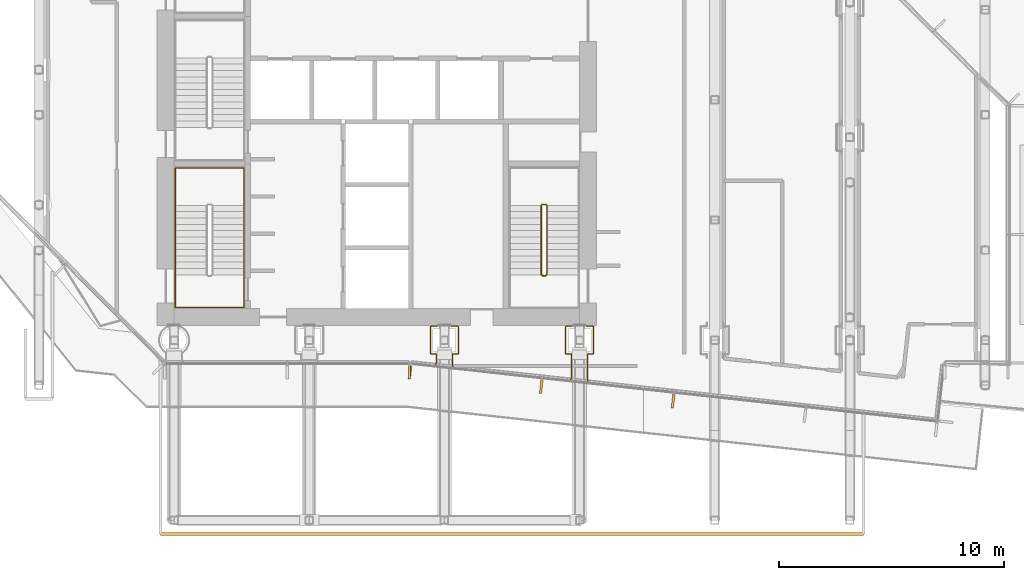
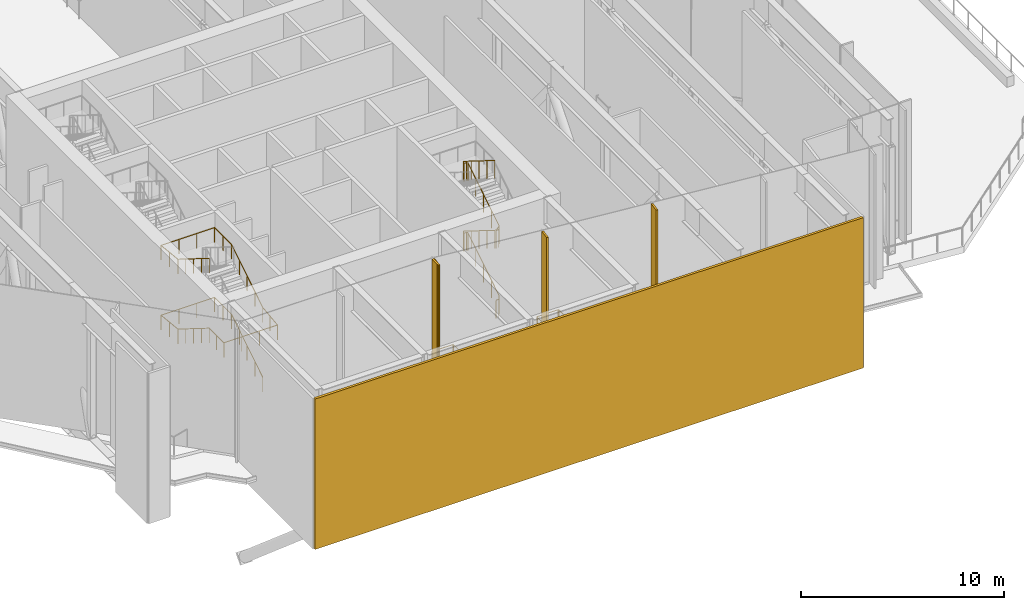
# One storey, part 18 of 24: 5 coverings, 4 railings.
"""IFC4 building model written with IfcOpenShell, lengths in metres."""

import ifcopenshell
import ifcopenshell.guid

model = None  # the IFC model being written
_history = None  # IfcOwnerHistory: only IFC2X3 demands one
_inside = {}  # id of a spatial element -> (the spatial element, [elements in it])
_under = {}  # id of a project, library or spatial element -> (it, [spatial elements below it])
_declared = {}  # id of a project -> (the project, [libraries it declares])
_typed = {}  # id of a type object -> (the type object, [elements of that type])
_made_of = {}  # id of a material, layer set ... -> (it, [elements and type objects made of it])


def new_model(schema):
    """Start an empty IFC model of exactly this schema.

    Asked for "IFC4X3", IfcOpenShell would pick the latest addendum, in which some entities
    have other attributes; the version numbers below select the first issue.
    IFC2X3 requires an IfcOwnerHistory on every rooted entity: one is made here for all.
    """
    global model, _history
    if schema == "IFC4X3":
        model = ifcopenshell.file(schema_version=(4, 3, 0, 0))
    else:
        model = ifcopenshell.file(schema=schema)
    _inside.clear()
    _under.clear()
    _declared.clear()
    _typed.clear()
    _made_of.clear()
    _history = None
    if model.schema == "IFC2X3":
        org = make("IfcOrganization", Name="unknown")
        user = make(
            "IfcPersonAndOrganization",
            ThePerson=make("IfcPerson", FamilyName="unknown"),
            TheOrganization=org,
        )
        app = make(
            "IfcApplication",
            ApplicationDeveloper=org,
            Version="unknown",
            ApplicationFullName="unknown",
            ApplicationIdentifier="unknown",
        )
        _history = make(
            "IfcOwnerHistory",
            OwningUser=user,
            OwningApplication=app,
            ChangeAction="ADDED",
            CreationDate=0,
        )
    return model


def make(cls, **values):
    """One entity of the class cls with the attributes given. An attribute that is None is left unset."""
    return model.create_entity(
        cls, **{name: value for name, value in values.items() if value is not None}
    )


def rooted(cls, **values):
    """An entity with a GlobalId (a new one), such as an element, a storey or a relation."""
    return make(cls, GlobalId=ifcopenshell.guid.new(), OwnerHistory=_history, **values)


def si_unit(unit_type, name, prefix=None):
    """IfcSIUnit, for example si_unit("LENGTHUNIT", "METRE", prefix="MILLI")."""
    return make("IfcSIUnit", UnitType=unit_type, Prefix=prefix, Name=name)


def assignment(units):
    """IfcUnitAssignment: the units of a project."""
    return None if units is None else make("IfcUnitAssignment", Units=units)


def point(xyz):
    """IfcCartesianPoint."""
    return None if xyz is None else make("IfcCartesianPoint", Coordinates=xyz)


def direction(xyz):
    """IfcDirection."""
    return None if xyz is None else make("IfcDirection", DirectionRatios=xyz)


def frame(location, z_axis=None, x_axis=None):
    """IfcAxis2Placement3D, a coordinate frame: its origin and axes. An axis left out is left unset."""
    return make(
        "IfcAxis2Placement3D",
        Location=point(location),
        Axis=direction(z_axis),
        RefDirection=direction(x_axis),
    )


def frame_2d(location, x_axis=None):
    """IfcAxis2Placement2D, a coordinate frame in the plane: its origin and x axis."""
    return make(
        "IfcAxis2Placement2D", Location=point(location), RefDirection=direction(x_axis)
    )


def origin():
    """The frame at (0, 0, 0) with its axes left unset."""
    return frame((0.0, 0.0, 0.0))


def origin_2d():
    """The frame at (0, 0) in the plane with its x axis left unset."""
    return frame_2d((0.0, 0.0))


def place(relative_to, where):
    """IfcLocalPlacement: puts the frame where relative to a parent placement (None: the world)."""
    return make(
        "IfcLocalPlacement", PlacementRelTo=relative_to, RelativePlacement=where
    )


def context(
    kind, dimensions, precision=None, world=None, true_north=None, identifier=None
):
    """IfcGeometricRepresentationContext, for example the 3D "Model" context."""
    return make(
        "IfcGeometricRepresentationContext",
        ContextIdentifier=identifier,
        ContextType=kind,
        CoordinateSpaceDimension=dimensions,
        Precision=precision,
        WorldCoordinateSystem=world,
        TrueNorth=true_north,
    )


def subcontext(parent, identifier, kind, view, scale=None):
    """IfcGeometricRepresentationSubContext, for example "Body" below "Model"."""
    return make(
        "IfcGeometricRepresentationSubContext",
        ContextIdentifier=identifier,
        ContextType=kind,
        ParentContext=parent,
        TargetScale=scale,
        TargetView=view,
    )


def project(units=None, contexts=None):
    """IfcProject with its units and contexts."""
    return rooted(
        "IfcProject",
        Name="project",
        RepresentationContexts=contexts,
        UnitsInContext=assignment(units),
    )


def spatial(cls, under=None, at=None, **own):
    """A site, building, storey or space (cls), placed at a placement, below another one or the project."""
    s = rooted(cls, ObjectPlacement=at, **own)
    if under is not None:
        _under.setdefault(under.id(), (under, []))[1].append(s)
    return s


def polyline(points):
    """IfcPolyline through the points."""
    return make("IfcPolyline", Points=[point(p) for p in points])


def profile(cls, at=None, kind="AREA", **sizes):
    """A parametric profile (cls). Its sizes go by their IFC names, for example OverallWidth=200.0."""
    return make(cls, ProfileType=kind, Position=at, **sizes)


def rectangle(**sizes):
    """IfcRectangleProfileDef."""
    return profile("IfcRectangleProfileDef", **sizes)


def circle(**sizes):
    """IfcCircleProfileDef."""
    return profile("IfcCircleProfileDef", **sizes)


def outline(outer, holes=None, kind="AREA"):
    """IfcArbitraryClosedProfileDef: a profile drawn as a closed curve; with holes, ...WithVoids."""
    if holes is None:
        return make("IfcArbitraryClosedProfileDef", ProfileType=kind, OuterCurve=outer)
    return make(
        "IfcArbitraryProfileDefWithVoids",
        ProfileType=kind,
        OuterCurve=outer,
        InnerCurves=holes,
    )


def extrude(swept, where, along, depth):
    """IfcExtrudedAreaSolid: the profile swept, set in the frame where, extruded along a direction by depth."""
    return make(
        "IfcExtrudedAreaSolid",
        SweptArea=swept,
        Position=where,
        ExtrudedDirection=direction(along),
        Depth=depth,
    )


def shape(context_of_items, identifier, shape_type, items):
    """IfcShapeRepresentation: the items that make up one representation, for example the "Body"."""
    return make(
        "IfcShapeRepresentation",
        ContextOfItems=context_of_items,
        RepresentationIdentifier=identifier,
        RepresentationType=shape_type,
        Items=items,
    )


def material(Name=None, Category=None):
    """IfcMaterial."""
    return make("IfcMaterial", Name=Name, Category=Category)


def layer(
    of_material, thickness, ventilated=None, Name=None, Category=None, Priority=None
):
    """IfcMaterialLayer: one layer of a wall or slab, of a material (None: an air gap)."""
    return make(
        "IfcMaterialLayer",
        Material=of_material,
        LayerThickness=thickness,
        IsVentilated=ventilated,
        Name=Name,
        Category=Category,
        Priority=Priority,
    )


def layer_set(layers, Name=None):
    """IfcMaterialLayerSet."""
    return make("IfcMaterialLayerSet", MaterialLayers=layers, LayerSetName=Name)


def made_of(thing, what):
    """Note that an element or type object is made of a material, layer set ...; save() writes the relation."""
    if what is not None:
        _made_of.setdefault(what.id(), (what, []))[1].append(thing)
    return thing


def type_object(cls, material=None, **own):
    """A type object (cls), such as IfcWallType, which elements share."""
    return made_of(rooted(cls, **own), material)


def element(
    cls,
    number,
    at=None,
    inside=None,
    cuts=None,
    type_object=None,
    material=None,
    context=None,
    identifier="Body",
    shape_type=None,
    held_by="IfcProductDefinitionShape",
    body=None,
    shapes=None,
    **own,
):
    """One element of the class cls, such as IfcWall. Its Tag is "e" and its number.

    at: its placement. inside: the storey or other place that contains it. cuts: it is an
    opening in that element (IfcRelVoidsElement). A single representation is given by context,
    identifier, shape_type and body (its items); several are given by shapes. held_by: the class
    of the entity that holds the representations. save() writes the other relations.
    """
    e = rooted(cls, Tag="e%d" % number, ObjectPlacement=at, **own)
    if body is not None:
        shapes = [shape(context, identifier, shape_type, body)]
    if shapes is not None:
        e.Representation = make(held_by, Representations=shapes)
    if inside is not None:
        _inside.setdefault(inside.id(), (inside, []))[1].append(e)
    if cuts is not None:
        rooted(
            "IfcRelVoidsElement", RelatingBuildingElement=cuts, RelatedOpeningElement=e
        )
    if type_object is not None:
        _typed.setdefault(type_object.id(), (type_object, []))[1].append(e)
    return made_of(e, material)


def aggregate(whole, parts):
    """IfcRelAggregates: a whole, such as a stair, and the parts it consists of."""
    return rooted("IfcRelAggregates", RelatingObject=whole, RelatedObjects=parts)


def save(model, path):
    """Write the relations noted so far, then the file.

    IfcRelAggregates (storeys below a building ...), IfcRelContainedInSpatialStructure (elements
    in a storey), IfcRelDefinesByType, IfcRelAssociatesMaterial and IfcRelDeclares: one each for
    every whole, place, type object, material and project.
    """
    for whole, parts in _under.values():
        aggregate(whole, parts)
    for where, things in _inside.values():
        rooted(
            "IfcRelContainedInSpatialStructure",
            RelatedElements=things,
            RelatingStructure=where,
        )
    for kind, things in _typed.values():
        rooted("IfcRelDefinesByType", RelatedObjects=things, RelatingType=kind)
    for what, things in _made_of.values():
        rooted("IfcRelAssociatesMaterial", RelatedObjects=things, RelatingMaterial=what)
    for by, libraries in _declared.values():
        rooted("IfcRelDeclares", RelatingContext=by, RelatedDefinitions=libraries)
    model.write(path)


model = new_model("IFC4")

# Units and contexts
model_context = context("Model", 3, precision=1e-05, world=origin(), true_north=direction((0.0, 1.0)))
body_context = subcontext(model_context, "Body", "Model", "MODEL_VIEW")
ifc_project = project(units=[si_unit("LENGTHUNIT", "METRE"), si_unit("AREAUNIT", "SQUARE_METRE"), si_unit("VOLUMEUNIT", "CUBIC_METRE"), si_unit("PLANEANGLEUNIT", "RADIAN"), si_unit("MASSUNIT", "GRAM", prefix="KILO")], contexts=[model_context])

# Site, building, storey
site_placement = place(None, origin())
site = spatial("IfcSite", under=ifc_project, at=site_placement, CompositionType="ELEMENT")
building_placement = place(site_placement, origin())
building = spatial("IfcBuilding", under=site, at=building_placement, Name="Welwitschia Terrace Campus", CompositionType="ELEMENT")
storey_placement = place(building_placement, frame((0.0, 0.0, 138.199951171875)))
storey = spatial("IfcBuildingStorey", under=building, at=storey_placement, Name="L31", CompositionType="ELEMENT", Elevation=138.199951171875)

# Coverings
ifc_material_1 = material(Name="Bronze anodised aluminium", Category="aluminium")
ifc_layer_1 = layer(ifc_material_1, 0.10009765625)
ifc_layer_set_1 = layer_set([ifc_layer_1], Name="Bronze anodised aluminium")
covering_type_1 = type_object("IfcCoveringType", Name="Bronze fin 100x600", PredefinedType="USERDEFINED", material=ifc_layer_set_1)
for number, where, z_axis, x_axis, name in (
    (1, (16.45458984375, 2.570068359375, 0.0), (0.0, 0.0, 1.0), (1.0, 0.0, 0.0), "Fin L31.1.2"),
    (2, (16.472900390625, 2.569091796875, 0.0), (0.0, 0.0, 1.0), (0.994056338222, -0.108866874852, 0.0), "Fin L31.2.0"),
    (3, (22.297119140625, 1.93115234375, 0.0), (0.0, 0.0, 1.0), (0.994056338222, -0.108866874852, 0.0), "Fin L31.2.1"),
    (4, (28.1513671875, 1.2900390625, 0.0), (0.0, 0.0, 1.0), (0.994056338222, -0.108866874852, 0.0), "Fin L31.2.2"),
):
    element("IfcCovering", number, at=place(storey_placement, frame(where, z_axis=z_axis, x_axis=x_axis)), inside=storey, type_object=covering_type_1, Name=name, ObjectType="FIN", PredefinedType="USERDEFINED", context=body_context, shape_type="SweptSolid", body=[
        extrude(rectangle(XDim=0.10009765625, YDim=0.60009765625, at=origin_2d()), origin(), (0.0, 0.0, 1.0), 8.050048828125),
    ])

# Railings
ifc_material_2 = material(Name="Stainless steel grade 316", Category="steel")
railing_type_1 = type_object("IfcRailingType", Name="Guard 1100", PredefinedType="GUARDRAIL", material=ifc_material_2)
railing_1_placement = place(storey_placement, frame((24.396484375, 2.08349609375, 0.0)))
element("IfcRailing", 5, at=railing_1_placement, inside=storey, type_object=railing_type_1, Name="Guard floor edge L31.20", PredefinedType="GUARDRAIL", context=body_context, shape_type="SweptSolid", body=[
    extrude(circle(Radius=0.02392578125, at=origin_2d()), frame((0.0, 0.0, 1.076171875), z_axis=(-0.230095374395, 0.973168083469, 0.0), x_axis=(-0.973168083469, -0.230095374395, 0.0)), (0.0, 0.0, 1.0), 0.180419921875),
    extrude(circle(Radius=0.02392578125, at=origin_2d()), frame((-0.04150390625, 0.175537109375, 1.076171875), z_axis=(0.0, 1.0, 0.0), x_axis=(-1.0, 0.0, 0.0)), (0.0, 0.0, 1.0), 1.120849609375),
    extrude(circle(Radius=0.02392578125, at=origin_2d()), frame((-0.04150390625, 1.29638671875, 1.076171875), z_axis=(1.0, 0.0, 0.0), x_axis=(0.0, 1.0, 0.0)), (0.0, 0.0, 1.0), 0.2373046875),
    extrude(circle(Radius=0.02392578125, at=origin_2d()), frame((0.19580078125, 1.29638671875, 1.076171875), z_axis=(0.707106781187, 0.707106781187, 0.0), x_axis=(-0.707106781187, 0.707106781187, 0.0)), (0.0, 0.0, 1.0), 0.039306640625),
    extrude(circle(Radius=0.02392578125, at=origin_2d()), frame((0.2236328125, 1.32421875, 1.076171875), z_axis=(0.0, 1.0, 0.0), x_axis=(-1.0, 0.0, 0.0)), (0.0, 0.0, 1.0), 1.1845703125),
    extrude(circle(Radius=0.02392578125, at=origin_2d()), frame((0.2236328125, 2.5087890625, 1.076171875), z_axis=(-0.707106781187, 0.707106781187, 0.0), x_axis=(-0.707106781187, -0.707106781187, 0.0)), (0.0, 0.0, 1.0), 0.039306640625),
    extrude(circle(Radius=0.02392578125, at=origin_2d()), frame((0.19580078125, 2.53662109375, 1.076171875), z_axis=(-1.0, 0.0, 0.0), x_axis=(0.0, -1.0, 0.0)), (0.0, 0.0, 1.0), 1.1845703125),
    extrude(circle(Radius=0.02392578125, at=origin_2d()), frame((-0.98876953125, 2.53662109375, 1.076171875), z_axis=(-0.707106781187, -0.707106781187, 0.0), x_axis=(0.707106781187, -0.707106781187, 0.0)), (0.0, 0.0, 1.0), 0.039306640625),
    extrude(circle(Radius=0.02392578125, at=origin_2d()), frame((-1.0166015625, 2.5087890625, 1.076171875), z_axis=(0.0, -1.0, 0.0), x_axis=(1.0, 0.0, 0.0)), (0.0, 0.0, 1.0), 1.1845703125),
    extrude(circle(Radius=0.02392578125, at=origin_2d()), frame((-1.0166015625, 1.32421875, 1.076171875), z_axis=(0.707106781187, -0.707106781187, 0.0), x_axis=(0.707106781187, 0.707106781187, 0.0)), (0.0, 0.0, 1.0), 0.039306640625),
    extrude(circle(Radius=0.02392578125, at=origin_2d()), frame((-0.98876953125, 1.29638671875, 1.076171875), z_axis=(1.0, 0.0, 0.0), x_axis=(0.0, 1.0, 0.0)), (0.0, 0.0, 1.0), 0.2373046875),
    extrude(circle(Radius=0.02392578125, at=origin_2d()), frame((-0.75146484375, 1.29638671875, 1.076171875), z_axis=(0.0, -1.0, 0.0), x_axis=(1.0, 0.0, 0.0)), (0.0, 0.0, 1.0), 1.04296875),
    extrude(circle(Radius=0.02392578125, at=origin_2d()), frame((-0.75146484375, 0.25341796875, 1.076171875), z_axis=(-0.435278237699, -0.900295982322, 0.0), x_axis=(0.900295982322, -0.435278237699, 0.0)), (0.0, 0.0, 1.0), 0.1806640625),
    extrude(circle(Radius=0.02099609375, at=origin_2d()), origin(), (0.0, 0.0, 1.0), 1.052001953125),
    extrude(circle(Radius=0.02099609375, at=origin_2d()), frame((-0.04150390625, 0.175537109375, 0.0)), (0.0, 0.0, 1.0), 1.052001953125),
    extrude(circle(Radius=0.02099609375, at=origin_2d()), frame((-0.04150390625, 1.29638671875, 0.0)), (0.0, 0.0, 1.0), 1.052001953125),
    extrude(circle(Radius=0.02099609375, at=origin_2d()), frame((0.19580078125, 1.29638671875, 0.0)), (0.0, 0.0, 1.0), 1.052001953125),
    extrude(circle(Radius=0.02099609375, at=origin_2d()), frame((0.2236328125, 1.32421875, 0.0)), (0.0, 0.0, 1.0), 1.052001953125),
    extrude(circle(Radius=0.02099609375, at=origin_2d()), frame((0.2236328125, 2.5087890625, 0.0)), (0.0, 0.0, 1.0), 1.052001953125),
    extrude(circle(Radius=0.02099609375, at=origin_2d()), frame((0.19580078125, 2.53662109375, 0.0)), (0.0, 0.0, 1.0), 1.052001953125),
    extrude(circle(Radius=0.02099609375, at=origin_2d()), frame((-0.98876953125, 2.53662109375, 0.0)), (0.0, 0.0, 1.0), 1.052001953125),
    extrude(circle(Radius=0.02099609375, at=origin_2d()), frame((-1.0166015625, 2.5087890625, 0.0)), (0.0, 0.0, 1.0), 1.052001953125),
    extrude(circle(Radius=0.02099609375, at=origin_2d()), frame((-1.0166015625, 1.32421875, 0.0)), (0.0, 0.0, 1.0), 1.052001953125),
    extrude(circle(Radius=0.02099609375, at=origin_2d()), frame((-0.98876953125, 1.29638671875, 0.0)), (0.0, 0.0, 1.0), 1.052001953125),
    extrude(circle(Radius=0.02099609375, at=origin_2d()), frame((-0.75146484375, 1.29638671875, 0.0)), (0.0, 0.0, 1.0), 1.052001953125),
    extrude(circle(Radius=0.02099609375, at=origin_2d()), frame((-0.75146484375, 0.25341796875, 0.0)), (0.0, 0.0, 1.0), 1.052001953125),
    extrude(circle(Radius=0.02099609375, at=origin_2d()), frame((-0.830078125, 0.0908203125, 0.0)), (0.0, 0.0, 1.0), 1.052001953125),
])
railing_2_placement = place(storey_placement, frame((18.396484375, 2.740478515625, 0.0)))
element("IfcRailing", 6, at=railing_2_placement, inside=storey, type_object=railing_type_1, Name="Guard floor edge L31.21", PredefinedType="GUARDRAIL", context=body_context, shape_type="SweptSolid", body=[
    extrude(circle(Radius=0.02392578125, at=origin_2d()), frame((0.0, 0.0, 1.076171875), z_axis=(-0.229792683756, 0.97323960179, 0.0), x_axis=(-0.97323960179, -0.229792683756, 0.0)), (0.0, 0.0, 1.0), 0.1806640625),
    extrude(circle(Radius=0.02392578125, at=origin_2d()), frame((-0.04150390625, 0.17578125, 1.076171875), z_axis=(0.0, 1.0, 0.0), x_axis=(-1.0, 0.0, 0.0)), (0.0, 0.0, 1.0), 0.463623046875),
    extrude(circle(Radius=0.02392578125, at=origin_2d()), frame((-0.04150390625, 0.639404296875, 1.076171875), z_axis=(1.0, 0.0, 0.0), x_axis=(0.0, 1.0, 0.0)), (0.0, 0.0, 1.0), 0.2373046875),
    extrude(circle(Radius=0.02392578125, at=origin_2d()), frame((0.19580078125, 0.639404296875, 1.076171875), z_axis=(0.707106781187, 0.707106781187, 0.0), x_axis=(-0.707106781187, 0.707106781187, 0.0)), (0.0, 0.0, 1.0), 0.039306640625),
    extrude(circle(Radius=0.02392578125, at=origin_2d()), frame((0.2236328125, 0.667236328125, 1.076171875), z_axis=(0.0, 1.0, 0.0), x_axis=(-1.0, 0.0, 0.0)), (0.0, 0.0, 1.0), 1.1845703125),
    extrude(circle(Radius=0.02392578125, at=origin_2d()), frame((0.2236328125, 1.851806640625, 1.076171875), z_axis=(-0.707106781187, 0.707106781187, 0.0), x_axis=(-0.707106781187, -0.707106781187, 0.0)), (0.0, 0.0, 1.0), 0.039306640625),
    extrude(circle(Radius=0.02392578125, at=origin_2d()), frame((0.19580078125, 1.879638671875, 1.076171875), z_axis=(-1.0, 0.0, 0.0), x_axis=(0.0, -1.0, 0.0)), (0.0, 0.0, 1.0), 1.1845703125),
    extrude(circle(Radius=0.02392578125, at=origin_2d()), frame((-0.98876953125, 1.879638671875, 1.076171875), z_axis=(-0.707106781187, -0.707106781187, 0.0), x_axis=(0.707106781187, -0.707106781187, 0.0)), (0.0, 0.0, 1.0), 0.039306640625),
    extrude(circle(Radius=0.02392578125, at=origin_2d()), frame((-1.0166015625, 1.851806640625, 1.076171875), z_axis=(0.0, -1.0, 0.0), x_axis=(1.0, 0.0, 0.0)), (0.0, 0.0, 1.0), 1.1845703125),
    extrude(circle(Radius=0.02392578125, at=origin_2d()), frame((-1.0166015625, 0.667236328125, 1.076171875), z_axis=(0.707106781187, -0.707106781187, 0.0), x_axis=(0.707106781187, 0.707106781187, 0.0)), (0.0, 0.0, 1.0), 0.039306640625),
    extrude(circle(Radius=0.02392578125, at=origin_2d()), frame((-0.98876953125, 0.639404296875, 1.076171875), z_axis=(1.0, 0.0, 0.0), x_axis=(0.0, 1.0, 0.0)), (0.0, 0.0, 1.0), 0.2373046875),
    extrude(circle(Radius=0.02392578125, at=origin_2d()), frame((-0.75146484375, 0.639404296875, 1.076171875), z_axis=(0.0, -1.0, 0.0), x_axis=(1.0, 0.0, 0.0)), (0.0, 0.0, 1.0), 0.385986328125),
    extrude(circle(Radius=0.02392578125, at=origin_2d()), frame((-0.75146484375, 0.25341796875, 1.076171875), z_axis=(-0.435808548271, -0.900039393168, 0.0), x_axis=(0.900039393168, -0.435808548271, 0.0)), (0.0, 0.0, 1.0), 0.180419921875),
    extrude(circle(Radius=0.02099609375, at=origin_2d()), origin(), (0.0, 0.0, 1.0), 1.052001953125),
    extrude(circle(Radius=0.02099609375, at=origin_2d()), frame((-0.04150390625, 0.17578125, 0.0)), (0.0, 0.0, 1.0), 1.052001953125),
    extrude(circle(Radius=0.02099609375, at=origin_2d()), frame((-0.04150390625, 0.639404296875, 0.0)), (0.0, 0.0, 1.0), 1.052001953125),
    extrude(circle(Radius=0.02099609375, at=origin_2d()), frame((0.19580078125, 0.639404296875, 0.0)), (0.0, 0.0, 1.0), 1.052001953125),
    extrude(circle(Radius=0.02099609375, at=origin_2d()), frame((0.2236328125, 0.667236328125, 0.0)), (0.0, 0.0, 1.0), 1.052001953125),
    extrude(circle(Radius=0.02099609375, at=origin_2d()), frame((0.2236328125, 1.851806640625, 0.0)), (0.0, 0.0, 1.0), 1.052001953125),
    extrude(circle(Radius=0.02099609375, at=origin_2d()), frame((0.19580078125, 1.879638671875, 0.0)), (0.0, 0.0, 1.0), 1.052001953125),
    extrude(circle(Radius=0.02099609375, at=origin_2d()), frame((-0.98876953125, 1.879638671875, 0.0)), (0.0, 0.0, 1.0), 1.052001953125),
    extrude(circle(Radius=0.02099609375, at=origin_2d()), frame((-1.0166015625, 1.851806640625, 0.0)), (0.0, 0.0, 1.0), 1.052001953125),
    extrude(circle(Radius=0.02099609375, at=origin_2d()), frame((-1.0166015625, 0.667236328125, 0.0)), (0.0, 0.0, 1.0), 1.052001953125),
    extrude(circle(Radius=0.02099609375, at=origin_2d()), frame((-0.98876953125, 0.639404296875, 0.0)), (0.0, 0.0, 1.0), 1.052001953125),
    extrude(circle(Radius=0.02099609375, at=origin_2d()), frame((-0.75146484375, 0.639404296875, 0.0)), (0.0, 0.0, 1.0), 1.052001953125),
    extrude(circle(Radius=0.02099609375, at=origin_2d()), frame((-0.75146484375, 0.25341796875, 0.0)), (0.0, 0.0, 1.0), 1.052001953125),
    extrude(circle(Radius=0.02099609375, at=origin_2d()), frame((-0.830078125, 0.091064453125, 0.0)), (0.0, 0.0, 1.0), 1.052001953125),
])

# Covering
ifc_material_3 = material(Name="Bronze anodised aluminium", Category="aluminium")
ifc_layer_2 = layer(ifc_material_3, 0.139892578125)
ifc_layer_set_2 = layer_set([ifc_layer_2], Name="Bronze anodised aluminium")
covering_type_2 = type_object("IfcCoveringType", Name="Soffit fascia cladding 140", PredefinedType="CLADDING", material=ifc_layer_set_2)
covering_placement = place(storey_placement, frame((0.0, 0.0, -1.0)))
element("IfcCovering", 7, at=covering_placement, inside=storey, type_object=covering_type_2, Name="Clad fascia L31.tip fascia St1 end", PredefinedType="CLADDING", context=body_context, shape_type="SweptSolid", body=[
    extrude(outline(polyline([(36.60009765625, -4.530029296875), (5.39990234375, -4.530029296875), (5.39990234375, -4.669921875), (36.60009765625, -4.669921875), (36.60009765625, -4.530029296875)])), origin(), (0.0, 0.0, 1.0), 9.050048828125),
])

# Railings
ifc_material_4 = material(Name="Steel S355", Category="steel")
railing_type_2 = type_object("IfcRailingType", Name="Stair guard 1100", PredefinedType="GUARDRAIL", material=ifc_material_4)
railing_3_placement = place(storey_placement, frame((22.35009765625, 6.85009765625, 0.0)))
element("IfcRailing", 8, at=railing_3_placement, inside=storey, type_object=railing_type_2, Name="L31 S2 stair guard", PredefinedType="GUARDRAIL", context=body_context, shape_type="SweptSolid", body=[
    extrude(circle(Radius=0.02392578125, at=origin_2d()), frame((0.0, 0.0, 1.076171875), z_axis=(1.0, 0.0, 0.0), x_axis=(0.0, 1.0, 0.0)), (0.0, 0.0, 1.0), 0.14990234375),
    extrude(circle(Radius=0.02392578125, at=origin_2d()), frame((0.14990234375, 0.0, 1.076171875), z_axis=(0.265155923931, 0.263862480399, 0.927399011991), x_axis=(-0.705375805398, 0.708833529934, 0.0)), (0.0, 0.0, 1.0), 0.188720703125),
    extrude(circle(Radius=0.02392578125, at=origin_2d()), frame((0.199951171875, 0.0498046875, 1.2509765625), z_axis=(0.0, 0.847998304005, 0.529998940003), x_axis=(-1.0, 0.0, 0.0)), (0.0, 0.0, 1.0), 3.632080078125),
    extrude(circle(Radius=0.02392578125, at=origin_2d()), frame((0.199951171875, 3.1298828125, 3.17626953125), z_axis=(-0.707106781187, 0.707106781187, 0.0), x_axis=(-0.707106781187, -0.707106781187, 0.0)), (0.0, 0.0, 1.0), 0.07080078125),
    extrude(circle(Radius=0.02392578125, at=origin_2d()), frame((0.14990234375, 3.179931640625, 3.17626953125), z_axis=(-1.0, 0.0, 0.0), x_axis=(0.0, -1.0, 0.0)), (0.0, 0.0, 1.0), 0.14990234375),
    extrude(circle(Radius=0.02392578125, at=origin_2d()), frame((0.0, 3.179931640625, 3.17626953125), z_axis=(-0.265065253269, -0.265065253269, 0.927081885822), x_axis=(0.707106781187, -0.707106781187, 0.0)), (0.0, 0.0, 1.0), 0.188720703125),
    extrude(circle(Radius=0.02392578125, at=origin_2d()), frame((-0.050048828125, 3.1298828125, 3.35107421875), z_axis=(0.0, -0.848028513186, 0.529950602248), x_axis=(1.0, 0.0, 0.0)), (0.0, 0.0, 1.0), 3.632080078125),
    extrude(circle(Radius=0.02392578125, at=origin_2d()), frame((-0.050048828125, 0.0498046875, 5.27587890625), z_axis=(0.970351222016, -0.241699205484, 0.0), x_axis=(0.241699205484, 0.970351222016, 0.0)), (0.0, 0.0, 1.0), 0.2060546875),
    extrude(circle(Radius=0.02392578125, at=origin_2d()), frame((0.14990234375, 0.0, 5.27587890625), z_axis=(-1.0, 0.0, 0.0), x_axis=(0.0, -1.0, 0.0)), (0.0, 0.0, 1.0), 0.14990234375),
    extrude(circle(Radius=0.02392578125, at=origin_2d()), frame((0.0, 0.0, 5.27587890625), z_axis=(0.739530593833, 0.18420542264, 0.647427882513), x_axis=(-0.241699205484, 0.970351222016, 0.0)), (0.0, 0.0, 1.0), 0.270263671875),
    extrude(circle(Radius=0.02392578125, at=origin_2d()), frame((0.199951171875, 0.0498046875, 5.451171875), z_axis=(0.0, 0.847998304005, 0.529998940003), x_axis=(-1.0, 0.0, 0.0)), (0.0, 0.0, 1.0), 3.632080078125),
    extrude(circle(Radius=0.02392578125, at=origin_2d()), frame((0.199951171875, 3.1298828125, 7.3759765625), z_axis=(-0.707106781187, 0.707106781187, 0.0), x_axis=(-0.707106781187, -0.707106781187, 0.0)), (0.0, 0.0, 1.0), 0.07080078125),
    extrude(circle(Radius=0.02392578125, at=origin_2d()), frame((0.14990234375, 3.179931640625, 7.3759765625), z_axis=(-1.0, 0.0, 0.0), x_axis=(0.0, -1.0, 0.0)), (0.0, 0.0, 1.0), 0.14990234375),
    extrude(circle(Radius=0.02392578125, at=origin_2d()), frame((0.0, 3.179931640625, 7.3759765625), z_axis=(-0.265065253269, -0.265065253269, 0.927081885822), x_axis=(0.707106781187, -0.707106781187, 0.0)), (0.0, 0.0, 1.0), 0.188720703125),
    extrude(circle(Radius=0.02392578125, at=origin_2d()), frame((-0.050048828125, 3.1298828125, 7.55126953125), z_axis=(0.0, -0.847998304005, 0.529998940003), x_axis=(1.0, 0.0, 0.0)), (0.0, 0.0, 1.0), 3.632080078125),
    extrude(circle(Radius=0.02099609375, at=origin_2d()), origin(), (0.0, 0.0, 1.0), 1.052001953125),
    extrude(circle(Radius=0.02099609375, at=origin_2d()), frame((0.14990234375, 0.0, 0.0)), (0.0, 0.0, 1.0), 1.052001953125),
    extrude(circle(Radius=0.02099609375, at=origin_2d()), frame((0.199951171875, 0.0498046875, 0.175048828125)), (0.0, 0.0, 1.0), 1.052001953125),
    extrude(circle(Radius=0.02099609375, at=origin_2d()), frame((0.199951171875, 0.81982421875, 0.65625)), (0.0, 0.0, 1.0), 1.052001953125),
    extrude(circle(Radius=0.02099609375, at=origin_2d()), frame((0.199951171875, 1.58984375, 1.1376953125)), (0.0, 0.0, 1.0), 1.052001953125),
    extrude(circle(Radius=0.02099609375, at=origin_2d()), frame((0.199951171875, 2.35986328125, 1.618896484375)), (0.0, 0.0, 1.0), 1.052001953125),
    extrude(circle(Radius=0.02099609375, at=origin_2d()), frame((0.199951171875, 3.1298828125, 2.10009765625)), (0.0, 0.0, 1.0), 1.052001953125),
    extrude(circle(Radius=0.02099609375, at=origin_2d()), frame((0.14990234375, 3.179931640625, 2.10009765625)), (0.0, 0.0, 1.0), 1.052001953125),
    extrude(circle(Radius=0.02099609375, at=origin_2d()), frame((0.0, 3.179931640625, 2.10009765625)), (0.0, 0.0, 1.0), 1.052001953125),
    extrude(circle(Radius=0.02099609375, at=origin_2d()), frame((-0.050048828125, 3.1298828125, 2.275146484375)), (0.0, 0.0, 1.0), 1.052001953125),
    extrude(circle(Radius=0.02099609375, at=origin_2d()), frame((-0.050048828125, 2.35986328125, 2.75634765625)), (0.0, 0.0, 1.0), 1.052001953125),
    extrude(circle(Radius=0.02099609375, at=origin_2d()), frame((-0.050048828125, 1.58984375, 3.237548828125)), (0.0, 0.0, 1.0), 1.052001953125),
    extrude(circle(Radius=0.02099609375, at=origin_2d()), frame((-0.050048828125, 0.81982421875, 3.71875)), (0.0, 0.0, 1.0), 1.052001953125),
    extrude(circle(Radius=0.02099609375, at=origin_2d()), frame((-0.050048828125, 0.0498046875, 4.199951171875)), (0.0, 0.0, 1.0), 1.052001953125),
    extrude(circle(Radius=0.02099609375, at=origin_2d()), frame((0.14990234375, 0.0, 4.199951171875)), (0.0, 0.0, 1.0), 1.052001953125),
    extrude(circle(Radius=0.02099609375, at=origin_2d()), frame((0.0, 0.0, 4.199951171875)), (0.0, 0.0, 1.0), 1.052001953125),
    extrude(circle(Radius=0.02099609375, at=origin_2d()), frame((0.199951171875, 0.0498046875, 4.375)), (0.0, 0.0, 1.0), 1.052001953125),
    extrude(circle(Radius=0.02099609375, at=origin_2d()), frame((0.199951171875, 0.81982421875, 4.856201171875)), (0.0, 0.0, 1.0), 1.052001953125),
    extrude(circle(Radius=0.02099609375, at=origin_2d()), frame((0.199951171875, 1.58984375, 5.33740234375)), (0.0, 0.0, 1.0), 1.052001953125),
    extrude(circle(Radius=0.02099609375, at=origin_2d()), frame((0.199951171875, 2.35986328125, 5.81884765625)), (0.0, 0.0, 1.0), 1.052001953125),
    extrude(circle(Radius=0.02099609375, at=origin_2d()), frame((0.199951171875, 3.1298828125, 6.300048828125)), (0.0, 0.0, 1.0), 1.052001953125),
    extrude(circle(Radius=0.02099609375, at=origin_2d()), frame((0.14990234375, 3.179931640625, 6.300048828125)), (0.0, 0.0, 1.0), 1.052001953125),
    extrude(circle(Radius=0.02099609375, at=origin_2d()), frame((0.0, 3.179931640625, 6.300048828125)), (0.0, 0.0, 1.0), 1.052001953125),
    extrude(circle(Radius=0.02099609375, at=origin_2d()), frame((-0.050048828125, 3.1298828125, 6.47509765625)), (0.0, 0.0, 1.0), 1.052001953125),
    extrude(circle(Radius=0.02099609375, at=origin_2d()), frame((-0.050048828125, 2.35986328125, 6.956298828125)), (0.0, 0.0, 1.0), 1.052001953125),
    extrude(circle(Radius=0.02099609375, at=origin_2d()), frame((-0.050048828125, 1.58984375, 7.4375)), (0.0, 0.0, 1.0), 1.052001953125),
    extrude(circle(Radius=0.02099609375, at=origin_2d()), frame((-0.050048828125, 0.81982421875, 7.9189453125)), (0.0, 0.0, 1.0), 1.052001953125),
    extrude(circle(Radius=0.02099609375, at=origin_2d()), frame((-0.050048828125, 0.0498046875, 8.400146484375)), (0.0, 0.0, 1.0), 1.052001953125),
])
ifc_material_5 = material(Name="Steel S355", Category="steel")
railing_type_3 = type_object("IfcRailingType", Name="Stair handrail 900", PredefinedType="HANDRAIL", material=ifc_material_5)
railing_4_placement = place(storey_placement, frame((9.10009765625, 6.89990234375, 0.175048828125)))
element("IfcRailing", 9, at=railing_4_placement, inside=storey, type_object=railing_type_3, Name="L31 S1 stair handrail", PredefinedType="HANDRAIL", context=body_context, shape_type="SweptSolid", body=[
    extrude(circle(Radius=0.02392578125, at=origin_2d()), frame((0.0, 0.0, 0.8759765625), z_axis=(0.0, 0.847998304005, 0.529998940003), x_axis=(-1.0, 0.0, 0.0)), (0.0, 0.0, 1.0), 3.632080078125),
    extrude(circle(Radius=0.02392578125, at=origin_2d()), frame((0.0, 3.080078125, 2.80078125), z_axis=(0.0, 1.0, 0.0), x_axis=(-1.0, 0.0, 0.0)), (0.0, 0.0, 1.0), 1.669921875),
    extrude(circle(Radius=0.02392578125, at=origin_2d()), frame((0.0, 4.75, 2.80078125), z_axis=(-1.0, 0.0, 0.0), x_axis=(0.0, -1.0, 0.0)), (0.0, 0.0, 1.0), 3.050048828125),
    extrude(circle(Radius=0.02392578125, at=origin_2d()), frame((-3.050048828125, 4.75, 2.80078125), z_axis=(0.0, -0.99455077262, 0.104253348533), x_axis=(1.0, 0.0, 0.0)), (0.0, 0.0, 1.0), 1.678955078125),
    extrude(circle(Radius=0.02392578125, at=origin_2d()), frame((-3.050048828125, 3.080078125, 2.97607421875), z_axis=(0.0, -0.848028513186, 0.529950602248), x_axis=(1.0, 0.0, 0.0)), (0.0, 0.0, 1.0), 3.632080078125),
    extrude(circle(Radius=0.02392578125, at=origin_2d()), frame((-3.050048828125, 0.0, 4.90087890625), z_axis=(0.0, -1.0, 0.0), x_axis=(1.0, 0.0, 0.0)), (0.0, 0.0, 1.0), 1.449951171875),
    extrude(circle(Radius=0.02392578125, at=origin_2d()), frame((-3.050048828125, -1.449951171875, 4.90087890625), z_axis=(1.0, 0.0, 0.0), x_axis=(0.0, 1.0, 0.0)), (0.0, 0.0, 1.0), 3.050048828125),
    extrude(circle(Radius=0.02392578125, at=origin_2d()), frame((0.0, -1.449951171875, 4.90087890625), z_axis=(0.0, 0.992791155251, 0.119857090136), x_axis=(-1.0, 0.0, 0.0)), (0.0, 0.0, 1.0), 1.46044921875),
    extrude(circle(Radius=0.02392578125, at=origin_2d()), frame((0.0, 0.0, 5.07568359375), z_axis=(0.0, 0.847998304005, 0.529998940003), x_axis=(-1.0, 0.0, 0.0)), (0.0, 0.0, 1.0), 3.632080078125),
    extrude(circle(Radius=0.02392578125, at=origin_2d()), frame((0.0, 3.080078125, 7.0009765625), z_axis=(0.0, 1.0, 0.0), x_axis=(-1.0, 0.0, 0.0)), (0.0, 0.0, 1.0), 1.669921875),
    extrude(circle(Radius=0.02392578125, at=origin_2d()), frame((0.0, 4.75, 7.0009765625), z_axis=(-1.0, 0.0, 0.0), x_axis=(0.0, -1.0, 0.0)), (0.0, 0.0, 1.0), 3.050048828125),
    extrude(circle(Radius=0.02392578125, at=origin_2d()), frame((-3.050048828125, 4.75, 7.0009765625), z_axis=(0.0, -0.99455077262, 0.104253348533), x_axis=(1.0, 0.0, 0.0)), (0.0, 0.0, 1.0), 1.678955078125),
    extrude(circle(Radius=0.02392578125, at=origin_2d()), frame((-3.050048828125, 3.080078125, 7.17578125), z_axis=(0.0, -0.847998304005, 0.529998940003), x_axis=(1.0, 0.0, 0.0)), (0.0, 0.0, 1.0), 3.632080078125),
    extrude(circle(Radius=0.02099609375, at=origin_2d()), origin(), (0.0, 0.0, 1.0), 0.851806640625),
    extrude(circle(Radius=0.02099609375, at=origin_2d()), frame((0.0, 0.77001953125, 0.481201171875)), (0.0, 0.0, 1.0), 0.851806640625),
    extrude(circle(Radius=0.02099609375, at=origin_2d()), frame((0.0, 1.5400390625, 0.96240234375)), (0.0, 0.0, 1.0), 0.851806640625),
    extrude(circle(Radius=0.02099609375, at=origin_2d()), frame((0.0, 2.31005859375, 1.44384765625)), (0.0, 0.0, 1.0), 0.851806640625),
    extrude(circle(Radius=0.02099609375, at=origin_2d()), frame((0.0, 3.080078125, 1.925048828125)), (0.0, 0.0, 1.0), 0.851806640625),
    extrude(circle(Radius=0.02099609375, at=origin_2d()), frame((0.0, 3.9150390625, 1.925048828125)), (0.0, 0.0, 1.0), 0.851806640625),
    extrude(circle(Radius=0.02099609375, at=origin_2d()), frame((0.0, 4.75, 1.925048828125)), (0.0, 0.0, 1.0), 0.851806640625),
    extrude(circle(Radius=0.02099609375, at=origin_2d()), frame((-1.0166015625, 4.75, 1.925048828125)), (0.0, 0.0, 1.0), 0.851806640625),
    extrude(circle(Radius=0.02099609375, at=origin_2d()), frame((-2.033447265625, 4.75, 1.925048828125)), (0.0, 0.0, 1.0), 0.851806640625),
    extrude(circle(Radius=0.02099609375, at=origin_2d()), frame((-3.050048828125, 4.75, 1.925048828125)), (0.0, 0.0, 1.0), 0.851806640625),
    extrude(circle(Radius=0.02099609375, at=origin_2d()), frame((-3.050048828125, 3.9150390625, 2.0126953125)), (0.0, 0.0, 1.0), 0.851806640625),
    extrude(circle(Radius=0.02099609375, at=origin_2d()), frame((-3.050048828125, 3.080078125, 2.10009765625)), (0.0, 0.0, 1.0), 0.851806640625),
    extrude(circle(Radius=0.02099609375, at=origin_2d()), frame((-3.050048828125, 2.31005859375, 2.581298828125)), (0.0, 0.0, 1.0), 0.851806640625),
    extrude(circle(Radius=0.02099609375, at=origin_2d()), frame((-3.050048828125, 1.5400390625, 3.0625)), (0.0, 0.0, 1.0), 0.851806640625),
    extrude(circle(Radius=0.02099609375, at=origin_2d()), frame((-3.050048828125, 0.77001953125, 3.543701171875)), (0.0, 0.0, 1.0), 0.851806640625),
    extrude(circle(Radius=0.02099609375, at=origin_2d()), frame((-3.050048828125, 0.0, 4.02490234375)), (0.0, 0.0, 1.0), 0.851806640625),
    extrude(circle(Radius=0.02099609375, at=origin_2d()), frame((-3.050048828125, -0.72509765625, 4.02490234375)), (0.0, 0.0, 1.0), 0.851806640625),
    extrude(circle(Radius=0.02099609375, at=origin_2d()), frame((-3.050048828125, -1.449951171875, 4.02490234375)), (0.0, 0.0, 1.0), 0.851806640625),
    extrude(circle(Radius=0.02099609375, at=origin_2d()), frame((-2.033447265625, -1.449951171875, 4.02490234375)), (0.0, 0.0, 1.0), 0.851806640625),
    extrude(circle(Radius=0.02099609375, at=origin_2d()), frame((-1.0166015625, -1.449951171875, 4.02490234375)), (0.0, 0.0, 1.0), 0.851806640625),
    extrude(circle(Radius=0.02099609375, at=origin_2d()), frame((0.0, -1.449951171875, 4.02490234375)), (0.0, 0.0, 1.0), 0.851806640625),
    extrude(circle(Radius=0.02099609375, at=origin_2d()), frame((0.0, -0.72509765625, 4.1123046875)), (0.0, 0.0, 1.0), 0.851806640625),
    extrude(circle(Radius=0.02099609375, at=origin_2d()), frame((0.0, 0.0, 4.199951171875)), (0.0, 0.0, 1.0), 0.851806640625),
    extrude(circle(Radius=0.02099609375, at=origin_2d()), frame((0.0, 0.77001953125, 4.68115234375)), (0.0, 0.0, 1.0), 0.851806640625),
    extrude(circle(Radius=0.02099609375, at=origin_2d()), frame((0.0, 1.5400390625, 5.16259765625)), (0.0, 0.0, 1.0), 0.851806640625),
    extrude(circle(Radius=0.02099609375, at=origin_2d()), frame((0.0, 2.31005859375, 5.643798828125)), (0.0, 0.0, 1.0), 0.851806640625),
    extrude(circle(Radius=0.02099609375, at=origin_2d()), frame((0.0, 3.080078125, 6.125)), (0.0, 0.0, 1.0), 0.851806640625),
    extrude(circle(Radius=0.02099609375, at=origin_2d()), frame((0.0, 3.9150390625, 6.125)), (0.0, 0.0, 1.0), 0.851806640625),
    extrude(circle(Radius=0.02099609375, at=origin_2d()), frame((0.0, 4.75, 6.125)), (0.0, 0.0, 1.0), 0.851806640625),
    extrude(circle(Radius=0.02099609375, at=origin_2d()), frame((-1.0166015625, 4.75, 6.125)), (0.0, 0.0, 1.0), 0.851806640625),
    extrude(circle(Radius=0.02099609375, at=origin_2d()), frame((-2.033447265625, 4.75, 6.125)), (0.0, 0.0, 1.0), 0.851806640625),
    extrude(circle(Radius=0.02099609375, at=origin_2d()), frame((-3.050048828125, 4.75, 6.125)), (0.0, 0.0, 1.0), 0.851806640625),
    extrude(circle(Radius=0.02099609375, at=origin_2d()), frame((-3.050048828125, 3.9150390625, 6.21240234375)), (0.0, 0.0, 1.0), 0.851806640625),
    extrude(circle(Radius=0.02099609375, at=origin_2d()), frame((-3.050048828125, 3.080078125, 6.300048828125)), (0.0, 0.0, 1.0), 0.851806640625),
    extrude(circle(Radius=0.02099609375, at=origin_2d()), frame((-3.050048828125, 2.31005859375, 6.78125)), (0.0, 0.0, 1.0), 0.851806640625),
    extrude(circle(Radius=0.02099609375, at=origin_2d()), frame((-3.050048828125, 1.5400390625, 7.2626953125)), (0.0, 0.0, 1.0), 0.851806640625),
    extrude(circle(Radius=0.02099609375, at=origin_2d()), frame((-3.050048828125, 0.77001953125, 7.743896484375)), (0.0, 0.0, 1.0), 0.851806640625),
    extrude(circle(Radius=0.02099609375, at=origin_2d()), frame((-3.050048828125, 0.0, 8.22509765625)), (0.0, 0.0, 1.0), 0.851806640625),
])

save(model, "model.ifc")
